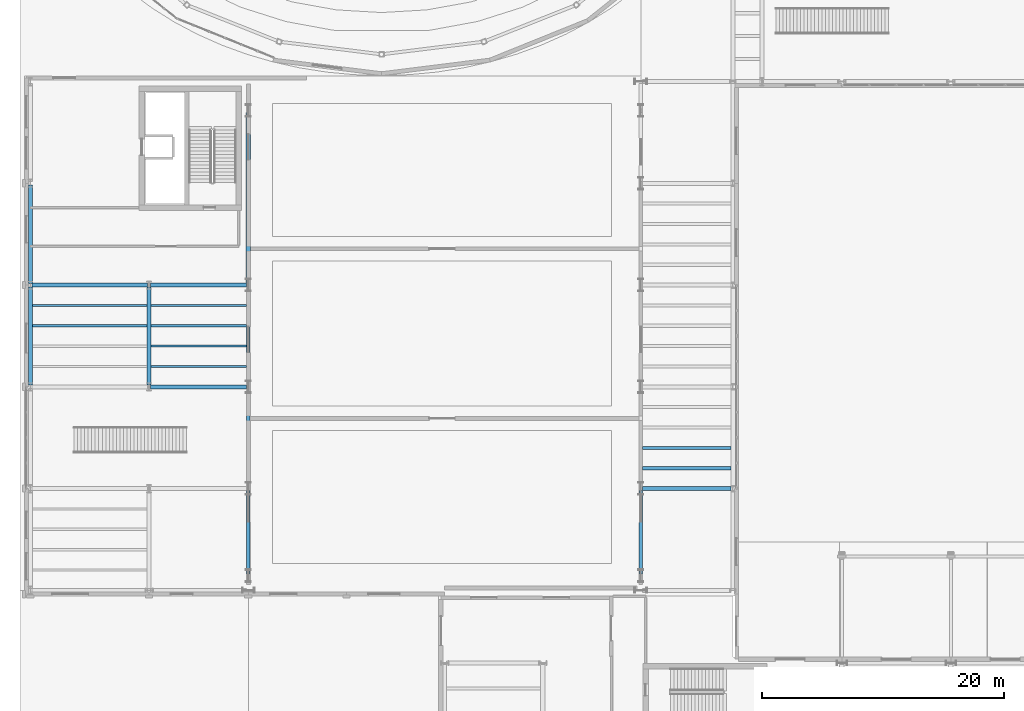
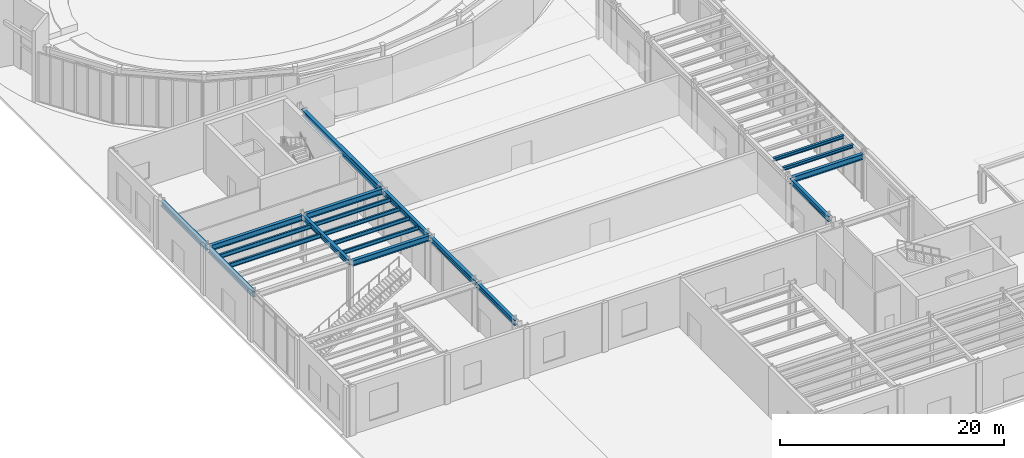
# One storey, part 20 of 94: 20 beams.
"""IFC4 building model written with IfcOpenShell, lengths in metres."""

from ifc_helpers import new_model, si_unit, direction, frame, origin, origin_2d, place, context, subcontext, project, spatial, i_section, extrude, material, material_profile, profile_set, type_object, element, save


model = new_model("IFC4")

# Units and contexts
model_context = context("Model", 3, precision=1e-05, world=origin(), true_north=direction((0.0, 1.0)))
body_context = subcontext(model_context, "Body", "Model", "MODEL_VIEW")
ifc_project = project(units=[si_unit("LENGTHUNIT", "METRE"), si_unit("AREAUNIT", "SQUARE_METRE"), si_unit("VOLUMEUNIT", "CUBIC_METRE"), si_unit("PLANEANGLEUNIT", "RADIAN"), si_unit("MASSUNIT", "GRAM", prefix="KILO")], contexts=[model_context])

# Site, building, storey
site_placement = place(None, origin())
site = spatial("IfcSite", under=ifc_project, at=site_placement, CompositionType="ELEMENT")
building_placement = place(site_placement, origin())
building = spatial("IfcBuilding", under=site, at=building_placement, Name="Sollismere Congress Hotel", CompositionType="ELEMENT")
storey_placement = place(building_placement, origin())
storey = spatial("IfcBuildingStorey", under=building, at=storey_placement, Name="L00", CompositionType="ELEMENT", Elevation=0.0)

# Beams
ifc_material = material(Name="Steel ASTM A992 Grade 50", Category="steel")
ifc_material_profile_1 = material_profile(ifc_material, i_section(OverallWidth=0.31494140625, OverallDepth=0.551025390625, WebThickness=0.01513671875, FlangeThickness=0.0244140625, at=origin_2d()), Name="W21X122")
ifc_profile_set_1 = profile_set([ifc_material_profile_1], Name="Steel ASTM A992 Grade 50")
beam_type_1 = type_object("IfcBeamType", Name="BM-G21H", PredefinedType="BEAM", material=ifc_profile_set_1)
beam_1_placement = place(storey_placement, frame((9.800048828125, 41.739990234375, 4.839599609375), z_axis=(0.0, 1.0, 0.0), x_axis=(-1.0, 0.0, 0.0)))
element("IfcBeam", 1, at=beam_1_placement, inside=storey, type_object=beam_type_1, Name="Beam BM-L00-1229", PredefinedType="BEAM", context=body_context, shape_type="SweptSolid", body=[
    extrude(i_section(OverallWidth=0.31494140625, OverallDepth=0.551025390625, WebThickness=0.01513671875, FlangeThickness=0.0244140625, at=origin_2d()), origin(), (0.0, 0.0, 1.0), 8.1201171875),
])
beam_2_placement = place(storey_placement, frame((18.0, 26.139892578125, 4.839599609375), z_axis=(0.0, 1.0, 0.0), x_axis=(-1.0, 0.0, 0.0)))
element("IfcBeam", 2, at=beam_2_placement, inside=storey, type_object=beam_type_1, Name="Beam BM-L00-1230", PredefinedType="BEAM", context=body_context, shape_type="SweptSolid", body=[
    extrude(i_section(OverallWidth=0.31494140625, OverallDepth=0.551025390625, WebThickness=0.01513671875, FlangeThickness=0.0244140625, at=origin_2d()), origin(), (0.0, 0.0, 1.0), 6.920166015625),
])
beam_3_placement = place(storey_placement, frame((18.0, 33.340087890625, 4.839599609375), z_axis=(0.0, 1.0, 0.0), x_axis=(-1.0, 0.0, 0.0)))
element("IfcBeam", 3, at=beam_3_placement, inside=storey, type_object=beam_type_1, Name="Beam BM-L00-1231", PredefinedType="BEAM", context=body_context, shape_type="SweptSolid", body=[
    extrude(i_section(OverallWidth=0.31494140625, OverallDepth=0.551025390625, WebThickness=0.01513671875, FlangeThickness=0.0244140625, at=origin_2d()), origin(), (0.0, 0.0, 1.0), 8.119873046875),
])
beam_4_placement = place(storey_placement, frame((18.0, 41.739990234375, 4.839599609375), z_axis=(0.0, 1.0, 0.0), x_axis=(-1.0, 0.0, 0.0)))
element("IfcBeam", 4, at=beam_4_placement, inside=storey, type_object=beam_type_1, Name="Beam BM-L00-1232", PredefinedType="BEAM", context=body_context, shape_type="SweptSolid", body=[
    extrude(i_section(OverallWidth=0.31494140625, OverallDepth=0.551025390625, WebThickness=0.01513671875, FlangeThickness=0.0244140625, at=origin_2d()), origin(), (0.0, 0.0, 1.0), 8.1201171875),
])
beam_5_placement = place(storey_placement, frame((50.39990234375, 26.139892578125, 4.839599609375), z_axis=(0.0, 1.0, 0.0), x_axis=(-1.0, 0.0, 0.0)))
element("IfcBeam", 5, at=beam_5_placement, inside=storey, type_object=beam_type_1, Name="Beam BM-L00-1239", PredefinedType="BEAM", context=body_context, shape_type="SweptSolid", body=[
    extrude(i_section(OverallWidth=0.31494140625, OverallDepth=0.551025390625, WebThickness=0.01513671875, FlangeThickness=0.0244140625, at=origin_2d()), origin(), (0.0, 0.0, 1.0), 6.920166015625),
])
ifc_material_profile_2 = material_profile(ifc_material, i_section(OverallWidth=0.324951171875, OverallDepth=0.612060546875, WebThickness=0.0126953125, FlangeThickness=0.01904296875, at=origin_2d()), Name="W24X104")
ifc_profile_set_2 = profile_set([ifc_material_profile_2], Name="Steel ASTM A992 Grade 50")
beam_type_2 = type_object("IfcBeamType", Name="BM-G24", PredefinedType="BEAM", material=ifc_profile_set_2)
beam_6_placement = place(storey_placement, frame((50.5400390625, 33.199951171875, 4.80908203125), z_axis=(1.0, 0.0, 0.0), x_axis=(0.0, 1.0, 0.0)))
element("IfcBeam", 6, at=beam_6_placement, inside=storey, type_object=beam_type_2, Name="Beam BM-L00-1167", PredefinedType="BEAM", context=body_context, shape_type="SweptSolid", body=[
    extrude(i_section(OverallWidth=0.324951171875, OverallDepth=0.612060546875, WebThickness=0.0126953125, FlangeThickness=0.01904296875, at=origin_2d()), origin(), (0.0, 0.0, 1.0), 7.320068359375),
])
beam_7_placement = place(storey_placement, frame((9.93994140625, 41.60009765625, 4.80908203125), z_axis=(1.0, 0.0, 0.0), x_axis=(0.0, 1.0, 0.0)))
element("IfcBeam", 7, at=beam_7_placement, inside=storey, type_object=beam_type_2, Name="Beam BM-L00-1174", PredefinedType="BEAM", context=body_context, shape_type="SweptSolid", body=[
    extrude(i_section(OverallWidth=0.324951171875, OverallDepth=0.612060546875, WebThickness=0.0126953125, FlangeThickness=0.01904296875, at=origin_2d()), origin(), (0.0, 0.0, 1.0), 7.920166015625),
])
beam_8_placement = place(storey_placement, frame((0.139892578125, 50.0, 4.80908203125), z_axis=(1.0, 0.0, 0.0), x_axis=(0.0, 1.0, 0.0)))
element("IfcBeam", 8, at=beam_8_placement, inside=storey, type_object=beam_type_2, Name="Beam BM-L00-1177", PredefinedType="BEAM", context=body_context, shape_type="SweptSolid", body=[
    extrude(i_section(OverallWidth=0.324951171875, OverallDepth=0.612060546875, WebThickness=0.0126953125, FlangeThickness=0.01904296875, at=origin_2d()), origin(), (0.0, 0.0, 1.0), 9.52001953125),
])
beam_9_placement = place(storey_placement, frame((9.93994140625, 50.0, 4.80908203125), z_axis=(1.0, 0.0, 0.0), x_axis=(0.0, 1.0, 0.0)))
element("IfcBeam", 9, at=beam_9_placement, inside=storey, type_object=beam_type_2, Name="Beam BM-L00-1178", PredefinedType="BEAM", context=body_context, shape_type="SweptSolid", body=[
    extrude(i_section(OverallWidth=0.324951171875, OverallDepth=0.612060546875, WebThickness=0.0126953125, FlangeThickness=0.01904296875, at=origin_2d()), origin(), (0.0, 0.0, 1.0), 7.920166015625),
])
ifc_material_profile_3 = material_profile(ifc_material, i_section(OverallWidth=0.35595703125, OverallDepth=0.696044921875, WebThickness=0.015380859375, FlangeThickness=0.025146484375, at=origin_2d()), Name="W27X146")
ifc_profile_set_3 = profile_set([ifc_material_profile_3], Name="Steel ASTM A992 Grade 50")
beam_type_3 = type_object("IfcBeamType", Name="BM-G27", PredefinedType="BEAM", material=ifc_profile_set_3)
beam_10_placement = place(storey_placement, frame((18.0, 50.139892578125, 4.76708984375), z_axis=(0.0, 1.0, 0.0), x_axis=(-1.0, 0.0, 0.0)))
element("IfcBeam", 10, at=beam_10_placement, inside=storey, type_object=beam_type_3, Name="Beam BM-L00-1233", PredefinedType="BEAM", context=body_context, shape_type="SweptSolid", body=[
    extrude(i_section(OverallWidth=0.35595703125, OverallDepth=0.696044921875, WebThickness=0.015380859375, FlangeThickness=0.025146484375, at=origin_2d()), origin(), (0.0, 0.0, 1.0), 14.1201171875),
])
ifc_material_profile_4 = material_profile(ifc_material, i_section(OverallWidth=0.25390625, OverallDepth=0.35595703125, WebThickness=0.010498046875, FlangeThickness=0.018310546875, at=origin_2d()), Name="W14X68")
ifc_profile_set_4 = profile_set([ifc_material_profile_4], Name="Steel ASTM A992 Grade 50")
beam_type_4 = type_object("IfcBeamType", Name="BM-J14", PredefinedType="JOIST", material=ifc_profile_set_4)
for number, where, z_axis, x_axis, name in (
    (11, (50.5576171875, 34.8798828125, 4.93701171875), (1.0, 0.0, 0.0), (0.0, 1.0, 0.0), "Beam BM-L00-1345"),
    (12, (50.5576171875, 36.56005859375, 4.93701171875), (1.0, 0.0, 0.0), (0.0, 1.0, 0.0), "Beam BM-L00-1346"),
):
    element("IfcBeam", number, at=place(storey_placement, frame(where, z_axis=z_axis, x_axis=x_axis)), inside=storey, type_object=beam_type_4, Name=name, PredefinedType="JOIST", context=body_context, shape_type="SweptSolid", body=[
        extrude(i_section(OverallWidth=0.25390625, OverallDepth=0.35595703125, WebThickness=0.010498046875, FlangeThickness=0.018310546875, at=origin_2d()), origin(), (0.0, 0.0, 1.0), 7.284912109375),
    ])
ifc_material_profile_5 = material_profile(ifc_material, i_section(OverallWidth=0.180908203125, OverallDepth=0.4169921875, WebThickness=0.010986328125, FlangeThickness=0.018310546875, at=origin_2d()), Name="W16X57")
ifc_profile_set_5 = profile_set([ifc_material_profile_5], Name="Steel ASTM A992 Grade 50")
beam_type_5 = type_object("IfcBeamType", Name="BM-J16", PredefinedType="JOIST", material=ifc_profile_set_5)
for number, where, z_axis, x_axis, name in (
    (13, (9.95751953125, 43.280029296875, 4.906494140625), (1.0, 0.0, 0.0), (0.0, 1.0, 0.0), "Beam BM-L00-1325"),
    (14, (9.95751953125, 44.9599609375, 4.906494140625), (1.0, 0.0, 0.0), (0.0, 1.0, 0.0), "Beam BM-L00-1326"),
    (15, (9.95751953125, 46.639892578125, 4.906494140625), (1.0, 0.0, 0.0), (0.0, 1.0, 0.0), "Beam BM-L00-1327"),
    (16, (9.95751953125, 48.320068359375, 4.906494140625), (1.0, 0.0, 0.0), (0.0, 1.0, 0.0), "Beam BM-L00-1328"),
):
    element("IfcBeam", number, at=place(storey_placement, frame(where, z_axis=z_axis, x_axis=x_axis)), inside=storey, type_object=beam_type_5, Name=name, PredefinedType="JOIST", context=body_context, shape_type="SweptSolid", body=[
        extrude(i_section(OverallWidth=0.180908203125, OverallDepth=0.4169921875, WebThickness=0.010986328125, FlangeThickness=0.018310546875, at=origin_2d()), origin(), (0.0, 0.0, 1.0), 7.885009765625),
    ])
ifc_material_profile_6 = material_profile(ifc_material, i_section(OverallWidth=0.193115234375, OverallDepth=0.467041015625, WebThickness=0.011474609375, FlangeThickness=0.01904296875, at=origin_2d()), Name="W18X65")
ifc_profile_set_6 = profile_set([ifc_material_profile_6], Name="Steel ASTM A992 Grade 50")
beam_type_6 = type_object("IfcBeamType", Name="BM-J18", PredefinedType="JOIST", material=ifc_profile_set_6)
for number, where, z_axis, x_axis, name in (
    (17, (0.1650390625, 46.639892578125, 4.881591796875), (1.0, 0.0, 0.0), (0.0, 1.0, 0.0), "Beam BM-L00-1323"),
    (18, (0.1650390625, 48.320068359375, 4.881591796875), (1.0, 0.0, 0.0), (0.0, 1.0, 0.0), "Beam BM-L00-1324"),
):
    element("IfcBeam", number, at=place(storey_placement, frame(where, z_axis=z_axis, x_axis=x_axis)), inside=storey, type_object=beam_type_6, Name=name, PredefinedType="JOIST", context=body_context, shape_type="SweptSolid", body=[
        extrude(i_section(OverallWidth=0.193115234375, OverallDepth=0.467041015625, WebThickness=0.011474609375, FlangeThickness=0.01904296875, at=origin_2d()), origin(), (0.0, 0.0, 1.0), 9.4775390625),
    ])
ifc_material_profile_7 = material_profile(ifc_material, i_section(OverallWidth=0.330078125, OverallDepth=0.635009765625, WebThickness=0.017822265625, FlangeThickness=0.031005859375, at=origin_2d()), Name="W24X162")
ifc_profile_set_7 = profile_set([ifc_material_profile_7], Name="Steel ASTM A992 Grade 50")
beam_type_7 = type_object("IfcBeamType", Name="BM-SP24E", PredefinedType="SPANDREL", material=ifc_profile_set_7)
for number, where, z_axis, x_axis, name in (
    (19, (0.0, 41.739990234375, 4.797607421875), (0.0, 1.0, 0.0), (-1.0, 0.0, 0.0), "Beam BM-L00-1225"),
    (20, (0.0, 50.139892578125, 4.797607421875), (0.0, 1.0, 0.0), (-1.0, 0.0, 0.0), "Beam BM-L00-1226"),
):
    element("IfcBeam", number, at=place(storey_placement, frame(where, z_axis=z_axis, x_axis=x_axis)), inside=storey, type_object=beam_type_7, Name=name, PredefinedType="SPANDREL", context=body_context, shape_type="SweptSolid", body=[
        extrude(i_section(OverallWidth=0.330078125, OverallDepth=0.635009765625, WebThickness=0.017822265625, FlangeThickness=0.031005859375, at=origin_2d()), origin(), (0.0, 0.0, 1.0), 8.1201171875),
    ])

save(model, "model.ifc")
